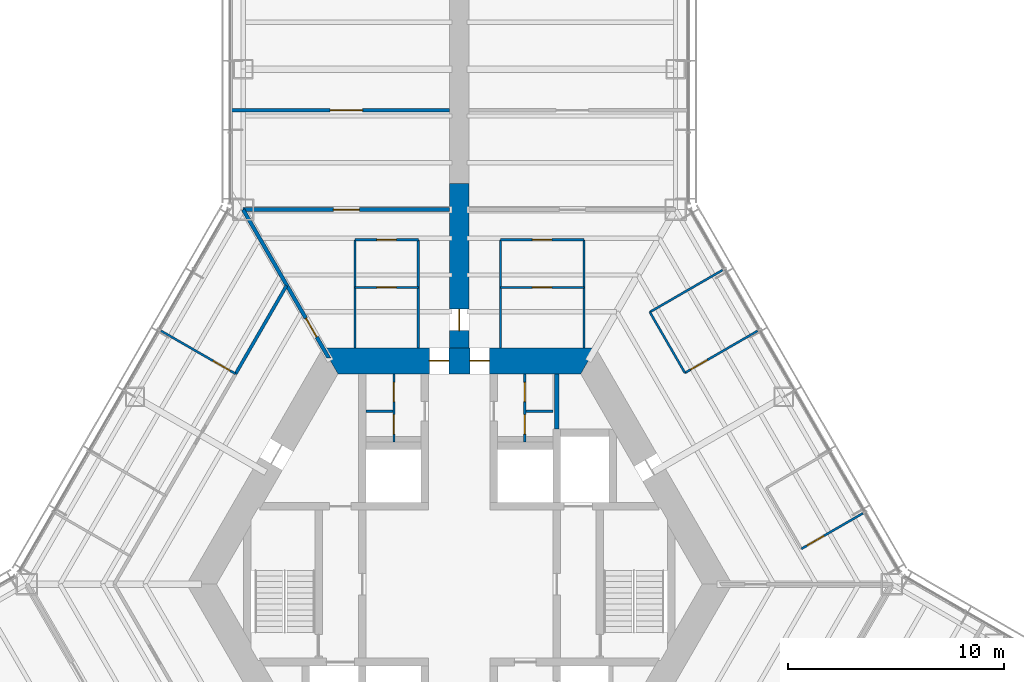
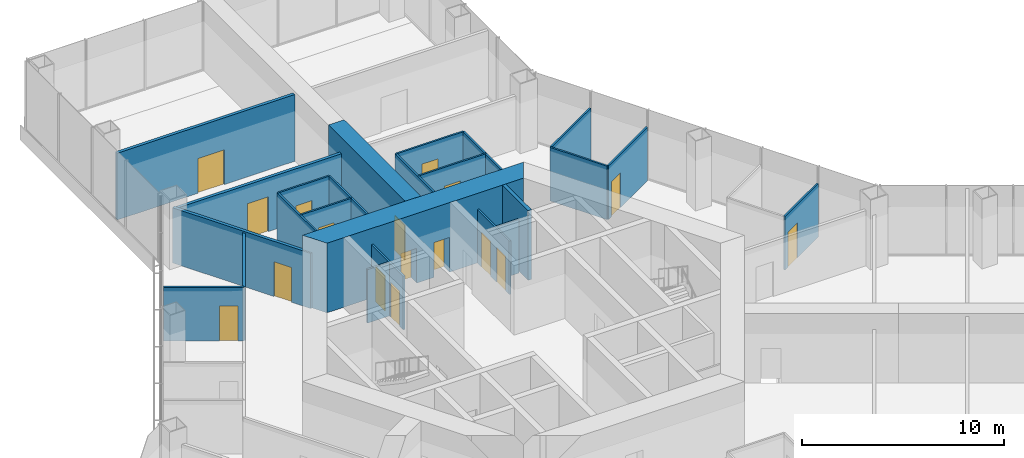
# One storey, part 13 of 17: 24 walls, 17 doors, 17 openings.
"""IFC4 building model written with IfcOpenShell, lengths in metres."""

from ifc_helpers import new_model, si_unit, direction, frame, frame_2d, origin, place, context, subcontext, project, spatial, polyline, rectangle, outline, extrude, material, layer, layer_set, type_object, element, fill, save


model = new_model("IFC4")

# Units and contexts
model_context = context("Model", 3, precision=1e-05, world=origin(), true_north=direction((0.0, 1.0)))
body_context = subcontext(model_context, "Body", "Model", "MODEL_VIEW")
ifc_project = project(units=[si_unit("LENGTHUNIT", "METRE"), si_unit("AREAUNIT", "SQUARE_METRE"), si_unit("VOLUMEUNIT", "CUBIC_METRE"), si_unit("PLANEANGLEUNIT", "RADIAN"), si_unit("MASSUNIT", "GRAM", prefix="KILO")], contexts=[model_context])

# Site, building, storey
site_placement = place(None, origin())
site = spatial("IfcSite", under=ifc_project, at=site_placement, CompositionType="ELEMENT")
building_placement = place(site_placement, origin())
building = spatial("IfcBuilding", under=site, at=building_placement, Name="Kasaneha Research Tower", CompositionType="ELEMENT")
storey_placement = place(building_placement, frame((0.0, 0.0, 43.60009765625)))
storey = spatial("IfcBuildingStorey", under=building, at=storey_placement, Name="L11", CompositionType="ELEMENT", Elevation=43.60009765625)

# Wall, openings, doors
ifc_material_1 = material(Name="Concrete Fc100", Category="concrete")
ifc_layer_1 = layer(ifc_material_1, 1.199951171875)
ifc_layer_set_1 = layer_set([ifc_layer_1], Name="Core wall 1200 Fc100")
wall_type_1 = type_object("IfcWallType", Name="Core wall 1200 Fc100", PredefinedType="SHEAR", material=ifc_layer_set_1)
wall_1_placement = place(storey_placement, frame((5.961181640625, 10.324951171875, 0.0), z_axis=(0.0, 0.0, 1.0), x_axis=(-1.0, 0.0, 0.0)))
wall_1 = element("IfcWall", 1, at=wall_1_placement, inside=storey, type_object=wall_type_1, Name="Core wall 090 L11", PredefinedType="SHEAR", context=body_context, shape_type="SweptSolid", body=[
    extrude(outline(polyline([(-0.346435546875, -0.60009765625), (4.57373046875, -0.60009765625), (5.4736328125, -0.60009765625), (6.44873046875, -0.60009765625), (7.3486328125, -0.60009765625), (12.268798828125, -0.60009765625), (11.575927734375, 0.60009765625), (7.3486328125, 0.60009765625), (6.44873046875, 0.60009765625), (5.4736328125, 0.60009765625), (4.57373046875, 0.60009765625), (0.346435546875, 0.60009765625), (-0.346435546875, -0.60009765625)])), origin(), (0.0, 0.0, 1.0), 4.199951171875),
])
opening_1_placement = place(wall_1_placement, frame((6.44873046875, 0.0, 0.0)))
opening_1 = element("IfcOpeningElement", 2, at=opening_1_placement, cuts=wall_1, Name="Opening L11-D01", PredefinedType="OPENING", context=body_context, shape_type="SweptSolid", body=[
    extrude(rectangle(XDim=0.89990234375, YDim=2.10009765625, at=frame_2d((0.449951171875, 1.050048828125))), frame((0.0, 0.60986328125, 0.0), z_axis=(0.0, -1.0, 0.0), x_axis=(1.0, 0.0, 0.0)), (0.0, 0.0, 1.0), 1.219970703125),
])
opening_2_placement = place(wall_1_placement, frame((4.57373046875, 0.0, 0.0)))
opening_2 = element("IfcOpeningElement", 3, at=opening_2_placement, cuts=wall_1, Name="Opening L11-D02", PredefinedType="OPENING", context=body_context, shape_type="SweptSolid", body=[
    extrude(rectangle(XDim=0.89990234375, YDim=2.10009765625, at=frame_2d((0.449951171875, 1.050048828125))), frame((0.0, 0.60986328125, 0.0), z_axis=(0.0, -1.0, 0.0), x_axis=(1.0, 0.0, 0.0)), (0.0, 0.0, 1.0), 1.219970703125),
])
ifc_material_2 = material(Name="Steel", Category="steel")
door_type_1 = type_object("IfcDoorType", Name="Toilet door FD20 900x2100", OperationType="NOTDEFINED", PredefinedType="DOOR", material=ifc_material_2)
door_1_placement = place(opening_1_placement, origin())
door_1 = element("IfcDoor", 4, at=door_1_placement, inside=storey, type_object=door_type_1, Name="Core door north 1 L11-D01", OperationType="SINGLE_SWING_RIGHT", OverallHeight=2.10009765625, OverallWidth=0.89990234375, PredefinedType="DOOR", context=body_context, shape_type="SweptSolid", body=[
    extrude(rectangle(XDim=0.89990234375, YDim=2.10009765625, at=frame_2d((0.449951171875, 1.050048828125))), frame((0.0, 0.02490234375, 0.0), z_axis=(0.0, -1.0, 0.0), x_axis=(1.0, 0.0, 0.0)), (0.0, 0.0, 1.0), 0.050048828125),
])
fill(opening_1, door_1)
door_2_placement = place(opening_2_placement, origin())
door_2 = element("IfcDoor", 5, at=door_2_placement, inside=storey, type_object=door_type_1, Name="Core door north 2 L11-D02", OperationType="SINGLE_SWING_LEFT", OverallHeight=2.10009765625, OverallWidth=0.89990234375, PredefinedType="DOOR", context=body_context, shape_type="SweptSolid", body=[
    extrude(rectangle(XDim=0.89990234375, YDim=2.10009765625, at=frame_2d((0.449951171875, 1.050048828125))), frame((0.0, 0.02490234375, 0.0), z_axis=(0.0, -1.0, 0.0), x_axis=(1.0, 0.0, 0.0)), (0.0, 0.0, 1.0), 0.050048828125),
])
fill(opening_2, door_2)

# Wall, opening, door
ifc_material_3 = material(Name="Gypsum board on steel studs, two layers each side", Category="steel")
ifc_layer_2 = layer(ifc_material_3, 0.175048828125)
ifc_layer_set_2 = layer_set([ifc_layer_2], Name="Laboratory fire partition 175")
wall_type_2 = type_object("IfcWallType", Name="Laboratory fire partition 175", PredefinedType="PARTITIONING", material=ifc_layer_set_2)
wall_2_placement = place(storey_placement, frame((-0.449951171875, 17.320556640625, 0.0), z_axis=(0.0, 0.0, 1.0), x_axis=(-1.0, 0.0, 0.0)))
wall_2 = element("IfcWall", 6, at=wall_2_placement, inside=storey, type_object=wall_type_2, Name="Laboratory fire partition LABA-W L11", PredefinedType="PARTITIONING", context=body_context, shape_type="SweptSolid", body=[
    extrude(rectangle(XDim=9.550048828125, YDim=0.175048828125, at=frame_2d((4.77490234375, 0.0))), origin(), (0.0, 0.0, 1.0), 3.23779296875),
])
opening_3_placement = place(wall_2_placement, frame((4.175048828125, 0.0, 0.0)))
opening_3 = element("IfcOpeningElement", 7, at=opening_3_placement, cuts=wall_2, Name="Opening L11-D36", PredefinedType="OPENING", context=body_context, shape_type="SweptSolid", body=[
    extrude(rectangle(XDim=1.199951171875, YDim=2.10009765625, at=frame_2d((0.60009765625, 1.050048828125))), frame((0.0, 0.09765625, 0.0), z_axis=(0.0, -1.0, 0.0), x_axis=(1.0, 0.0, 0.0)), (0.0, 0.0, 1.0), 0.195068359375),
])
ifc_material_4 = material(Name="Steel", Category="steel")
door_type_2 = type_object("IfcDoorType", Name="Laboratory door FD60 1200x2100", OperationType="DOUBLE_DOOR_SINGLE_SWING", PredefinedType="DOOR", material=ifc_material_4)
door_3_placement = place(opening_3_placement, origin())
door_3 = element("IfcDoor", 8, at=door_3_placement, inside=storey, type_object=door_type_2, Name="Laboratory door L11-D36", OperationType="DOUBLE_DOOR_SINGLE_SWING", OverallHeight=2.10009765625, OverallWidth=1.199951171875, PredefinedType="DOOR", context=body_context, shape_type="SweptSolid", body=[
    extrude(rectangle(XDim=1.199951171875, YDim=2.10009765625, at=frame_2d((0.60009765625, 1.050048828125))), frame((0.0, 0.02490234375, 0.0), z_axis=(0.0, -1.0, 0.0), x_axis=(1.0, 0.0, 0.0)), (0.0, 0.0, 1.0), 0.050048828125),
])
fill(opening_3, door_3)

wall_3_placement = place(storey_placement, frame((-0.449951171875, 21.92041015625, 0.0), z_axis=(0.0, 0.0, 1.0), x_axis=(-1.0, 0.0, 0.0)))
wall_3 = element("IfcWall", 9, at=wall_3_placement, inside=storey, type_object=wall_type_2, Name="Laboratory fire partition INSA-W L11", PredefinedType="PARTITIONING", context=body_context, shape_type="SweptSolid", body=[
    extrude(rectangle(XDim=10.14013671875, YDim=0.175048828125, at=frame_2d((5.070068359375, 0.0))), origin(), (0.0, 0.0, 1.0), 4.02978515625),
])
opening_4_placement = place(wall_3_placement, frame((4.02490234375, 0.0, 0.0)))
opening_4 = element("IfcOpeningElement", 10, at=opening_4_placement, cuts=wall_3, Name="Opening L11-D37", PredefinedType="OPENING", context=body_context, shape_type="SweptSolid", body=[
    extrude(rectangle(XDim=1.5, YDim=2.10009765625, at=frame_2d((0.75, 1.050048828125))), frame((0.0, 0.09765625, 0.0), z_axis=(0.0, -1.0, 0.0), x_axis=(1.0, 0.0, 0.0)), (0.0, 0.0, 1.0), 0.195068359375),
])
ifc_material_5 = material(Name="Steel", Category="steel")
door_type_3 = type_object("IfcDoorType", Name="Laboratory door FD60 1500x2100", OperationType="DOUBLE_DOOR_SINGLE_SWING", PredefinedType="DOOR", material=ifc_material_5)
door_4_placement = place(opening_4_placement, origin())
door_4 = element("IfcDoor", 11, at=door_4_placement, inside=storey, type_object=door_type_3, Name="Instrument room door L11-D37", OperationType="DOUBLE_DOOR_SINGLE_SWING", OverallHeight=2.10009765625, OverallWidth=1.5, PredefinedType="DOOR", context=body_context, shape_type="SweptSolid", body=[
    extrude(rectangle(XDim=1.5, YDim=2.10009765625, at=frame_2d((0.75, 1.050048828125))), frame((0.0, 0.02490234375, 0.0), z_axis=(0.0, -1.0, 0.0), x_axis=(1.0, 0.0, 0.0)), (0.0, 0.0, 1.0), 0.050048828125),
])
fill(opening_4, door_4)

# Wall, openings, doors
ifc_material_6 = material(Name="Gypsum board on steel studs, one layer each side", Category="steel")
ifc_layer_3 = layer(ifc_material_6, 0.10009765625)
ifc_layer_set_3 = layer_set([ifc_layer_3], Name="Office partition 100")
wall_type_3 = type_object("IfcWallType", Name="Office partition 100", PredefinedType="PARTITIONING", material=ifc_layer_set_3)
wall_4_placement = place(storey_placement, frame((-3.02490234375, 6.574951171875, 0.0), z_axis=(0.0, 0.0, 1.0), x_axis=(0.0, 1.0, 0.0)))
wall_4 = element("IfcWall", 12, at=wall_4_placement, inside=storey, type_object=wall_type_3, Name="Office partition TBM1 L11", PredefinedType="PARTITIONING", context=body_context, shape_type="SweptSolid", body=[
    extrude(rectangle(XDim=3.150146484375, YDim=0.10009765625, at=frame_2d((1.5751953125, 0.0))), origin(), (0.0, 0.0, 1.0), 3.22998046875),
])
opening_5_placement = place(wall_4_placement, frame((1.862548828125, 0.0, 0.0)))
opening_5 = element("IfcOpeningElement", 13, at=opening_5_placement, cuts=wall_4, Name="Opening L11-D20", PredefinedType="OPENING", context=body_context, shape_type="SweptSolid", body=[
    extrude(rectangle(XDim=0.89990234375, YDim=2.10009765625, at=frame_2d((0.449951171875, 1.050048828125))), frame((0.0, 0.06005859375, 0.0), z_axis=(0.0, -1.0, 0.0), x_axis=(1.0, 0.0, 0.0)), (0.0, 0.0, 1.0), 0.1201171875),
])
opening_6_placement = place(wall_4_placement, frame((0.362548828125, 0.0, 0.0)))
opening_6 = element("IfcOpeningElement", 14, at=opening_6_placement, cuts=wall_4, Name="Opening L11-D21", PredefinedType="OPENING", context=body_context, shape_type="SweptSolid", body=[
    extrude(rectangle(XDim=0.89990234375, YDim=2.10009765625, at=frame_2d((0.449951171875, 1.050048828125))), frame((0.0, 0.06005859375, 0.0), z_axis=(0.0, -1.0, 0.0), x_axis=(1.0, 0.0, 0.0)), (0.0, 0.0, 1.0), 0.1201171875),
])
ifc_material_7 = material(Name="Steel", Category="steel")
door_type_4 = type_object("IfcDoorType", Name="Toilet lobby door FD30 900x2100", OperationType="NOTDEFINED", PredefinedType="DOOR", material=ifc_material_7)
door_5_placement = place(opening_5_placement, origin())
door_5 = element("IfcDoor", 15, at=door_5_placement, inside=storey, type_object=door_type_4, Name="Men's WC door L11-D20", OperationType="SINGLE_SWING_RIGHT", OverallHeight=2.10009765625, OverallWidth=0.89990234375, PredefinedType="DOOR", context=body_context, shape_type="SweptSolid", body=[
    extrude(rectangle(XDim=0.89990234375, YDim=2.10009765625, at=frame_2d((0.449951171875, 1.050048828125))), frame((0.0, 0.02490234375, 0.0), z_axis=(0.0, -1.0, 0.0), x_axis=(1.0, 0.0, 0.0)), (0.0, 0.0, 1.0), 0.050048828125),
])
fill(opening_5, door_5)
door_6_placement = place(opening_6_placement, origin())
door_6 = element("IfcDoor", 16, at=door_6_placement, inside=storey, type_object=door_type_4, Name="Staff WC door L11-D21", OperationType="SINGLE_SWING_RIGHT", OverallHeight=2.10009765625, OverallWidth=0.89990234375, PredefinedType="DOOR", context=body_context, shape_type="SweptSolid", body=[
    extrude(rectangle(XDim=0.89990234375, YDim=2.10009765625, at=frame_2d((0.449951171875, 1.050048828125))), frame((0.0, 0.02490234375, 0.0), z_axis=(0.0, -1.0, 0.0), x_axis=(1.0, 0.0, 0.0)), (0.0, 0.0, 1.0), 0.050048828125),
])
fill(opening_6, door_6)

# Wall
wall_5_placement = place(storey_placement, frame((-3.074951171875, 8.0, 0.0), z_axis=(0.0, 0.0, 1.0), x_axis=(-1.0, 0.0, 0.0)))
element("IfcWall", 17, at=wall_5_placement, inside=storey, type_object=wall_type_3, Name="Office partition TBM2 L11", PredefinedType="PARTITIONING", context=body_context, shape_type="SweptSolid", body=[
    extrude(rectangle(XDim=1.25, YDim=0.10009765625, at=frame_2d((0.625, 0.0))), origin(), (0.0, 0.0, 1.0), 3.22998046875),
])

# Wall, openings, doors
wall_6_placement = place(storey_placement, frame((3.02490234375, 6.574951171875, 0.0), z_axis=(0.0, 0.0, 1.0), x_axis=(0.0, 1.0, 0.0)))
wall_6 = element("IfcWall", 18, at=wall_6_placement, inside=storey, type_object=wall_type_3, Name="Office partition TBF1 L11", PredefinedType="PARTITIONING", context=body_context, shape_type="SweptSolid", body=[
    extrude(rectangle(XDim=3.150146484375, YDim=0.10009765625, at=frame_2d((1.5751953125, 0.0))), origin(), (0.0, 0.0, 1.0), 3.22998046875),
])
opening_7_placement = place(wall_6_placement, frame((1.862548828125, 0.0, 0.0)))
opening_7 = element("IfcOpeningElement", 19, at=opening_7_placement, cuts=wall_6, Name="Opening L11-D22", PredefinedType="OPENING", context=body_context, shape_type="SweptSolid", body=[
    extrude(rectangle(XDim=0.89990234375, YDim=2.10009765625, at=frame_2d((0.449951171875, 1.050048828125))), frame((0.0, 0.06005859375, 0.0), z_axis=(0.0, -1.0, 0.0), x_axis=(1.0, 0.0, 0.0)), (0.0, 0.0, 1.0), 0.1201171875),
])
opening_8_placement = place(wall_6_placement, frame((0.362548828125, 0.0, 0.0)))
opening_8 = element("IfcOpeningElement", 20, at=opening_8_placement, cuts=wall_6, Name="Opening L11-D23", PredefinedType="OPENING", context=body_context, shape_type="SweptSolid", body=[
    extrude(rectangle(XDim=0.89990234375, YDim=2.10009765625, at=frame_2d((0.449951171875, 1.050048828125))), frame((0.0, 0.06005859375, 0.0), z_axis=(0.0, -1.0, 0.0), x_axis=(1.0, 0.0, 0.0)), (0.0, 0.0, 1.0), 0.1201171875),
])
door_7_placement = place(opening_7_placement, origin())
door_7 = element("IfcDoor", 21, at=door_7_placement, inside=storey, type_object=door_type_4, Name="Women's WC door L11-D22", OperationType="SINGLE_SWING_RIGHT", OverallHeight=2.10009765625, OverallWidth=0.89990234375, PredefinedType="DOOR", context=body_context, shape_type="SweptSolid", body=[
    extrude(rectangle(XDim=0.89990234375, YDim=2.10009765625, at=frame_2d((0.449951171875, 1.050048828125))), frame((0.0, 0.02490234375, 0.0), z_axis=(0.0, -1.0, 0.0), x_axis=(1.0, 0.0, 0.0)), (0.0, 0.0, 1.0), 0.050048828125),
])
fill(opening_7, door_7)
door_8_placement = place(opening_8_placement, origin())
door_8 = element("IfcDoor", 22, at=door_8_placement, inside=storey, type_object=door_type_4, Name="Cleaner's store door L11-D23", OperationType="SINGLE_SWING_RIGHT", OverallHeight=2.10009765625, OverallWidth=0.89990234375, PredefinedType="DOOR", context=body_context, shape_type="SweptSolid", body=[
    extrude(rectangle(XDim=0.89990234375, YDim=2.10009765625, at=frame_2d((0.449951171875, 1.050048828125))), frame((0.0, 0.02490234375, 0.0), z_axis=(0.0, -1.0, 0.0), x_axis=(1.0, 0.0, 0.0)), (0.0, 0.0, 1.0), 0.050048828125),
])
fill(opening_8, door_8)

# Wall
wall_7_placement = place(storey_placement, frame((3.074951171875, 8.0, 0.0), z_axis=(0.0, 0.0, 1.0), x_axis=(1.0, 0.0, 0.0)))
element("IfcWall", 23, at=wall_7_placement, inside=storey, type_object=wall_type_3, Name="Office partition TBF2 L11", PredefinedType="PARTITIONING", context=body_context, shape_type="SweptSolid", body=[
    extrude(rectangle(XDim=1.25, YDim=0.10009765625, at=frame_2d((0.625, 0.0))), origin(), (0.0, 0.0, 1.0), 3.22998046875),
])

# Wall, opening, door
wall_8_placement = place(storey_placement, frame((1.89990234375, 13.72509765625, 0.0), z_axis=(0.0, 0.0, 1.0), x_axis=(1.0, 0.0, 0.0)))
wall_8 = element("IfcWall", 24, at=wall_8_placement, inside=storey, type_object=wall_type_3, Name="Office partition WCAE1 L11", PredefinedType="PARTITIONING", context=body_context, shape_type="SweptSolid", body=[
    extrude(rectangle(XDim=3.857177734375, YDim=0.10009765625, at=frame_2d((1.9287109375, 0.0))), origin(), (0.0, 0.0, 1.0), 3.22998046875),
])
opening_9_placement = place(wall_8_placement, frame((1.478515625, 0.0, 0.0)))
opening_9 = element("IfcOpeningElement", 25, at=opening_9_placement, cuts=wall_8, Name="Opening L11-D28", PredefinedType="OPENING", context=body_context, shape_type="SweptSolid", body=[
    extrude(rectangle(XDim=0.89990234375, YDim=2.10009765625, at=frame_2d((0.449951171875, 1.050048828125))), frame((0.0, 0.06005859375, 0.0), z_axis=(0.0, -1.0, 0.0), x_axis=(1.0, 0.0, 0.0)), (0.0, 0.0, 1.0), 0.1201171875),
])
door_9_placement = place(opening_9_placement, origin())
door_9 = element("IfcDoor", 26, at=door_9_placement, inside=storey, type_object=door_type_4, Name="Women's WC door L11-D28", OperationType="SINGLE_SWING_RIGHT", OverallHeight=2.10009765625, OverallWidth=0.89990234375, PredefinedType="DOOR", context=body_context, shape_type="SweptSolid", body=[
    extrude(rectangle(XDim=0.89990234375, YDim=2.10009765625, at=frame_2d((0.449951171875, 1.050048828125))), frame((0.0, 0.02490234375, 0.0), z_axis=(0.0, -1.0, 0.0), x_axis=(1.0, 0.0, 0.0)), (0.0, 0.0, 1.0), 0.050048828125),
])
fill(opening_9, door_9)

wall_9_placement = place(storey_placement, frame((1.89990234375, 15.925048828125, 0.0), z_axis=(0.0, 0.0, 1.0), x_axis=(1.0, 0.0, 0.0)))
wall_9 = element("IfcWall", 27, at=wall_9_placement, inside=storey, type_object=wall_type_3, Name="Office partition WCAE4 L11", PredefinedType="PARTITIONING", context=body_context, shape_type="SweptSolid", body=[
    extrude(rectangle(XDim=3.857177734375, YDim=0.10009765625, at=frame_2d((1.9287109375, 0.0))), origin(), (0.0, 0.0, 1.0), 3.22998046875),
])
opening_10_placement = place(wall_9_placement, frame((1.478515625, 0.0, 0.0)))
opening_10 = element("IfcOpeningElement", 28, at=opening_10_placement, cuts=wall_9, Name="Opening L11-D29", PredefinedType="OPENING", context=body_context, shape_type="SweptSolid", body=[
    extrude(rectangle(XDim=0.89990234375, YDim=2.10009765625, at=frame_2d((0.449951171875, 1.050048828125))), frame((0.0, 0.06005859375, 0.0), z_axis=(0.0, -1.0, 0.0), x_axis=(1.0, 0.0, 0.0)), (0.0, 0.0, 1.0), 0.1201171875),
])
door_10_placement = place(opening_10_placement, origin())
door_10 = element("IfcDoor", 29, at=door_10_placement, inside=storey, type_object=door_type_4, Name="Toilet lobby door L11-D29", OperationType="SINGLE_SWING_RIGHT", OverallHeight=2.10009765625, OverallWidth=0.89990234375, PredefinedType="DOOR", context=body_context, shape_type="SweptSolid", body=[
    extrude(rectangle(XDim=0.89990234375, YDim=2.10009765625, at=frame_2d((0.449951171875, 1.050048828125))), frame((0.0, 0.02490234375, 0.0), z_axis=(0.0, -1.0, 0.0), x_axis=(1.0, 0.0, 0.0)), (0.0, 0.0, 1.0), 0.050048828125),
])
fill(opening_10, door_10)

# Walls
for number, where, z_axis, x_axis, name in (
    (30, (1.89990234375, 10.925048828125, 0.0), (0.0, 0.0, 1.0), (0.0, 1.0, 0.0), "Office partition WCAE2 L11"),
    (31, (5.757080078125, 10.925048828125, 0.0), (0.0, 0.0, 1.0), (0.0, 1.0, 0.0), "Office partition WCAE3 L11"),
):
    element("IfcWall", number, at=place(storey_placement, frame(where, z_axis=z_axis, x_axis=x_axis)), inside=storey, type_object=wall_type_3, Name=name, PredefinedType="PARTITIONING", context=body_context, shape_type="SweptSolid", body=[
        extrude(rectangle(XDim=5.0, YDim=0.10009765625, at=frame_2d((2.5, 0.0))), origin(), (0.0, 0.0, 1.0), 3.22998046875),
    ])
wall_10_placement = place(storey_placement, frame((8.80908203125, 12.583251953125, 0.0), z_axis=(0.0, 0.0, 1.0), x_axis=(0.866027358884, 0.499996613652, 0.0)))
element("IfcWall", 32, at=wall_10_placement, inside=storey, type_object=wall_type_3, Name="Office partition FAE01 L11", PredefinedType="PARTITIONING", context=body_context, shape_type="SweptSolid", body=[
    extrude(rectangle(XDim=3.8798828125, YDim=0.10009765625, at=frame_2d((1.93994140625, 0.0))), origin(), (0.0, 0.0, 1.0), 3.22998046875),
])
wall_11_placement = place(storey_placement, frame((10.432373046875, 9.771728515625, 0.0), z_axis=(0.0, 0.0, 1.0), x_axis=(-0.500013214685, 0.866017774148, 0.0)))
element("IfcWall", 33, at=wall_11_placement, inside=storey, type_object=wall_type_3, Name="Office partition FAE02 L11", PredefinedType="PARTITIONING", context=body_context, shape_type="SweptSolid", body=[
    extrude(rectangle(XDim=3.24658203125, YDim=0.10009765625, at=frame_2d((1.623291015625, 0.0))), origin(), (0.0, 0.0, 1.0), 3.22998046875),
])

# Wall, opening, door
wall_12_placement = place(storey_placement, frame((13.79248046875, 11.711669921875, 0.0), z_axis=(0.0, 0.0, 1.0), x_axis=(-0.866027358884, -0.499996613652, 0.0)))
wall_12 = element("IfcWall", 34, at=wall_12_placement, inside=storey, type_object=wall_type_3, Name="Office partition FAE03 L11", PredefinedType="PARTITIONING", context=body_context, shape_type="SweptSolid", body=[
    extrude(rectangle(XDim=3.8798828125, YDim=0.10009765625, at=frame_2d((1.93994140625, 0.0))), origin(), (0.0, 0.0, 1.0), 3.22998046875),
])
opening_11_placement = place(wall_12_placement, frame((2.679931640625, 0.0, 0.0)))
opening_11 = element("IfcOpeningElement", 35, at=opening_11_placement, cuts=wall_12, Name="Opening L11-D31", PredefinedType="OPENING", context=body_context, shape_type="SweptSolid", body=[
    extrude(rectangle(XDim=0.89990234375, YDim=2.10009765625, at=frame_2d((0.449951171875, 1.050048828125))), frame((0.0, 0.06005859375, 0.0), z_axis=(0.0, -1.0, 0.0), x_axis=(1.0, 0.0, 0.0)), (0.0, 0.0, 1.0), 0.1201171875),
])
ifc_material_8 = material(Name="Timber veneer", Category="wood")
door_type_5 = type_object("IfcDoorType", Name="Office door 900x2100", OperationType="SINGLE_SWING_LEFT", PredefinedType="DOOR", material=ifc_material_8)
door_11_placement = place(opening_11_placement, origin())
door_11 = element("IfcDoor", 36, at=door_11_placement, inside=storey, type_object=door_type_5, Name="Microscopy room door L11-D31", OperationType="SINGLE_SWING_RIGHT", OverallHeight=2.10009765625, OverallWidth=0.89990234375, PredefinedType="DOOR", context=body_context, shape_type="SweptSolid", body=[
    extrude(rectangle(XDim=0.89990234375, YDim=2.10009765625, at=frame_2d((0.449951171875, 1.050048828125))), frame((0.0, 0.02490234375, 0.0), z_axis=(0.0, -1.0, 0.0), x_axis=(1.0, 0.0, 0.0)), (0.0, 0.0, 1.0), 0.050048828125),
])
fill(opening_11, door_11)

wall_13_placement = place(storey_placement, frame((18.662109375, 3.27734375, 0.0), z_axis=(0.0, 0.0, 1.0), x_axis=(-0.866008333849, -0.50002956483, 0.0)))
wall_13 = element("IfcWall", 37, at=wall_13_placement, inside=storey, type_object=wall_type_3, Name="Office partition FAE06 L11", PredefinedType="PARTITIONING", context=body_context, shape_type="SweptSolid", body=[
    extrude(rectangle(XDim=3.280029296875, YDim=0.10009765625, at=frame_2d((1.64013671875, 0.0))), origin(), (0.0, 0.0, 1.0), 3.22998046875),
])
opening_12_placement = place(wall_13_placement, frame((2.080078125, 0.0, 0.0)))
opening_12 = element("IfcOpeningElement", 38, at=opening_12_placement, cuts=wall_13, Name="Opening L11-D32", PredefinedType="OPENING", context=body_context, shape_type="SweptSolid", body=[
    extrude(rectangle(XDim=0.89990234375, YDim=2.10009765625, at=frame_2d((0.449951171875, 1.050048828125))), frame((0.0, 0.06005859375, 0.0), z_axis=(0.0, -1.0, 0.0), x_axis=(1.0, 0.0, 0.0)), (0.0, 0.0, 1.0), 0.1201171875),
])
door_12_placement = place(opening_12_placement, origin())
door_12 = element("IfcDoor", 39, at=door_12_placement, inside=storey, type_object=door_type_5, Name="Principal investigator office door L11-D32", OperationType="SINGLE_SWING_RIGHT", OverallHeight=2.10009765625, OverallWidth=0.89990234375, PredefinedType="DOOR", context=body_context, shape_type="SweptSolid", body=[
    extrude(rectangle(XDim=0.89990234375, YDim=2.10009765625, at=frame_2d((0.449951171875, 1.050048828125))), frame((0.0, 0.02490234375, 0.0), z_axis=(0.0, -1.0, 0.0), x_axis=(1.0, 0.0, 0.0)), (0.0, 0.0, 1.0), 0.050048828125),
])
fill(opening_12, door_12)

wall_14_placement = place(storey_placement, frame((-4.82861328125, 13.72509765625, 0.0), z_axis=(0.0, 0.0, 1.0), x_axis=(1.0, 0.0, 0.0)))
wall_14 = element("IfcWall", 40, at=wall_14_placement, inside=storey, type_object=wall_type_3, Name="Office partition WCAW1 L11", PredefinedType="PARTITIONING", context=body_context, shape_type="SweptSolid", body=[
    extrude(rectangle(XDim=2.9287109375, YDim=0.10009765625, at=frame_2d((1.46435546875, 0.0))), origin(), (0.0, 0.0, 1.0), 3.22998046875),
])
opening_13_placement = place(wall_14_placement, frame((1.01416015625, 0.0, 0.0)))
opening_13 = element("IfcOpeningElement", 41, at=opening_13_placement, cuts=wall_14, Name="Opening L11-D34", PredefinedType="OPENING", context=body_context, shape_type="SweptSolid", body=[
    extrude(rectangle(XDim=0.89990234375, YDim=2.10009765625, at=frame_2d((0.449951171875, 1.050048828125))), frame((0.0, 0.06005859375, 0.0), z_axis=(0.0, -1.0, 0.0), x_axis=(1.0, 0.0, 0.0)), (0.0, 0.0, 1.0), 0.1201171875),
])
door_13_placement = place(opening_13_placement, origin())
door_13 = element("IfcDoor", 42, at=door_13_placement, inside=storey, type_object=door_type_4, Name="Men's WC door L11-D34", OperationType="SINGLE_SWING_LEFT", OverallHeight=2.10009765625, OverallWidth=0.89990234375, PredefinedType="DOOR", context=body_context, shape_type="SweptSolid", body=[
    extrude(rectangle(XDim=0.89990234375, YDim=2.10009765625, at=frame_2d((0.449951171875, 1.050048828125))), frame((0.0, 0.02490234375, 0.0), z_axis=(0.0, -1.0, 0.0), x_axis=(1.0, 0.0, 0.0)), (0.0, 0.0, 1.0), 0.050048828125),
])
fill(opening_13, door_13)

wall_15_placement = place(storey_placement, frame((-4.82861328125, 15.925048828125, 0.0), z_axis=(0.0, 0.0, 1.0), x_axis=(1.0, 0.0, 0.0)))
wall_15 = element("IfcWall", 43, at=wall_15_placement, inside=storey, type_object=wall_type_3, Name="Office partition WCAW4 L11", PredefinedType="PARTITIONING", context=body_context, shape_type="SweptSolid", body=[
    extrude(rectangle(XDim=2.9287109375, YDim=0.10009765625, at=frame_2d((1.46435546875, 0.0))), origin(), (0.0, 0.0, 1.0), 3.22998046875),
])
opening_14_placement = place(wall_15_placement, frame((1.01416015625, 0.0, 0.0)))
opening_14 = element("IfcOpeningElement", 44, at=opening_14_placement, cuts=wall_15, Name="Opening L11-D35", PredefinedType="OPENING", context=body_context, shape_type="SweptSolid", body=[
    extrude(rectangle(XDim=0.89990234375, YDim=2.10009765625, at=frame_2d((0.449951171875, 1.050048828125))), frame((0.0, 0.06005859375, 0.0), z_axis=(0.0, -1.0, 0.0), x_axis=(1.0, 0.0, 0.0)), (0.0, 0.0, 1.0), 0.1201171875),
])
door_14_placement = place(opening_14_placement, origin())
door_14 = element("IfcDoor", 45, at=door_14_placement, inside=storey, type_object=door_type_4, Name="Toilet lobby door L11-D35", OperationType="SINGLE_SWING_LEFT", OverallHeight=2.10009765625, OverallWidth=0.89990234375, PredefinedType="DOOR", context=body_context, shape_type="SweptSolid", body=[
    extrude(rectangle(XDim=0.89990234375, YDim=2.10009765625, at=frame_2d((0.449951171875, 1.050048828125))), frame((0.0, 0.02490234375, 0.0), z_axis=(0.0, -1.0, 0.0), x_axis=(1.0, 0.0, 0.0)), (0.0, 0.0, 1.0), 0.050048828125),
])
fill(opening_14, door_14)

# Walls
for number, where, z_axis, x_axis, name in (
    (46, (-1.89990234375, 10.925048828125, 0.0), (0.0, 0.0, 1.0), (0.0, 1.0, 0.0), "Office partition WCAW2 L11"),
    (47, (-4.82861328125, 10.925048828125, 0.0), (0.0, 0.0, 1.0), (0.0, 1.0, 0.0), "Office partition WCAW3 L11"),
):
    element("IfcWall", number, at=place(storey_placement, frame(where, z_axis=z_axis, x_axis=x_axis)), inside=storey, type_object=wall_type_3, Name=name, PredefinedType="PARTITIONING", context=body_context, shape_type="SweptSolid", body=[
        extrude(rectangle(XDim=5.0, YDim=0.10009765625, at=frame_2d((2.5, 0.0))), origin(), (0.0, 0.0, 1.0), 3.22998046875),
    ])

# Wall, opening, door
wall_16_placement = place(storey_placement, frame((-10.347412109375, 9.727783203125, 0.0), z_axis=(0.0, 0.0, 1.0), x_axis=(-0.866583023507, 0.499032928142, 0.0)))
wall_16 = element("IfcWall", 48, at=wall_16_placement, inside=storey, type_object=wall_type_3, Name="Office partition FBN06 L11", PredefinedType="PARTITIONING", context=body_context, shape_type="SweptSolid", body=[
    extrude(rectangle(XDim=3.975341796875, YDim=0.10009765625, at=frame_2d((1.98779296875, 0.0))), origin(), (0.0, 0.0, 1.0), 3.22998046875),
])
opening_15_placement = place(wall_16_placement, frame((0.300048828125, 0.0, 0.0)))
opening_15 = element("IfcOpeningElement", 49, at=opening_15_placement, cuts=wall_16, Name="Opening L11-D41", PredefinedType="OPENING", context=body_context, shape_type="SweptSolid", body=[
    extrude(rectangle(XDim=0.89990234375, YDim=2.10009765625, at=frame_2d((0.449951171875, 1.050048828125))), frame((0.0, 0.06005859375, 0.0), z_axis=(0.0, -1.0, 0.0), x_axis=(1.0, 0.0, 0.0)), (0.0, 0.0, 1.0), 0.1201171875),
])
door_15_placement = place(opening_15_placement, origin())
door_15 = element("IfcDoor", 50, at=door_15_placement, inside=storey, type_object=door_type_5, Name="Principal investigator office door L11-D41", OperationType="SINGLE_SWING_LEFT", OverallHeight=2.10009765625, OverallWidth=0.89990234375, PredefinedType="DOOR", context=body_context, shape_type="SweptSolid", body=[
    extrude(rectangle(XDim=0.89990234375, YDim=2.10009765625, at=frame_2d((0.449951171875, 1.050048828125))), frame((0.0, 0.02490234375, 0.0), z_axis=(0.0, -1.0, 0.0), x_axis=(1.0, 0.0, 0.0)), (0.0, 0.0, 1.0), 0.050048828125),
])
fill(opening_15, door_15)

# Wall
ifc_material_9 = material(Name="Concrete block", Category="concrete")
ifc_layer_4 = layer(ifc_material_9, 0.199951171875)
ifc_layer_set_4 = layer_set([ifc_layer_4], Name="Riser enclosure wall 200")
wall_type_4 = type_object("IfcWallType", Name="Riser enclosure wall 200", PredefinedType="STANDARD", material=ifc_layer_set_4)
wall_17_placement = place(storey_placement, frame((4.5, 7.175048828125, 0.0), z_axis=(0.0, 0.0, 1.0), x_axis=(0.0, 1.0, 0.0)))
element("IfcWall", 51, at=wall_17_placement, inside=storey, type_object=wall_type_4, Name="Riser enclosure wall L11", PredefinedType="STANDARD", context=body_context, shape_type="SweptSolid", body=[
    extrude(rectangle(XDim=2.550048828125, YDim=0.199951171875, at=frame_2d((1.27490234375, 0.0))), origin(), (0.0, 0.0, 1.0), 4.199951171875),
])

# Wall, opening, door
ifc_material_10 = material(Name="Concrete Fc100", Category="concrete")
ifc_layer_5 = layer(ifc_material_10, 0.89990234375)
ifc_layer_set_5 = layer_set([ifc_layer_5], Name="Spine wall 900 Fc100")
wall_type_5 = type_object("IfcWallType", Name="Spine wall 900 Fc100", PredefinedType="SHEAR", material=ifc_layer_set_5)
wall_18_placement = place(storey_placement, frame((0.0, 10.925048828125, 0.0), z_axis=(0.0, 0.0, 1.0), x_axis=(0.0, 1.0, 0.0)))
wall_18 = element("IfcWall", 52, at=wall_18_placement, inside=storey, type_object=wall_type_5, Name="Spine wall A L11", PredefinedType="SHEAR", context=body_context, shape_type="SweptSolid", body=[
    extrude(rectangle(XDim=7.595458984375, YDim=0.89990234375, at=frame_2d((3.7978515625, 0.0))), origin(), (0.0, 0.0, 1.0), 4.199951171875),
])
opening_16_placement = place(wall_18_placement, frame((0.800048828125, 0.0, 0.0)))
opening_16 = element("IfcOpeningElement", 53, at=opening_16_placement, cuts=wall_18, Name="Opening L11-D17", PredefinedType="OPENING", context=body_context, shape_type="SweptSolid", body=[
    extrude(rectangle(XDim=1.0, YDim=2.10009765625, at=frame_2d((0.5, 1.050048828125))), frame((0.0, 0.4599609375, 0.0), z_axis=(0.0, -1.0, 0.0), x_axis=(1.0, 0.0, 0.0)), (0.0, 0.0, 1.0), 0.919921875),
])
ifc_material_11 = material(Name="Steel", Category="steel")
door_type_6 = type_object("IfcDoorType", Name="Specified fire door FD60 1000x2100", OperationType="NOTDEFINED", PredefinedType="DOOR", material=ifc_material_11)
door_16_placement = place(opening_16_placement, origin())
door_16 = element("IfcDoor", 54, at=door_16_placement, inside=storey, type_object=door_type_6, Name="Spine doorway A L11-D17", OperationType="SINGLE_SWING_LEFT", OverallHeight=2.10009765625, OverallWidth=1.0, PredefinedType="DOOR", context=body_context, shape_type="SweptSolid", body=[
    extrude(rectangle(XDim=1.0, YDim=2.10009765625, at=frame_2d((0.5, 1.050048828125))), frame((0.0, 0.02490234375, 0.0), z_axis=(0.0, -1.0, 0.0), x_axis=(1.0, 0.0, 0.0)), (0.0, 0.0, 1.0), 0.050048828125),
])
fill(opening_16, door_16)

# Wall
ifc_material_12 = material(Name="Gypsum board on steel studs, two layers each side", Category="steel")
ifc_layer_6 = layer(ifc_material_12, 0.14990234375)
ifc_layer_set_6 = layer_set([ifc_layer_6], Name="Suite partition 150")
wall_type_6 = type_object("IfcWallType", Name="Suite partition 150", PredefinedType="PARTITIONING", material=ifc_layer_set_6)
wall_19_placement = place(storey_placement, frame((-10.35205078125, 9.719482421875, 0.0), z_axis=(0.0, 0.0, 1.0), x_axis=(0.499985273446, 0.866033905998, 0.0)))
element("IfcWall", 55, at=wall_19_placement, inside=storey, type_object=wall_type_6, Name="Suite partition FBN01 L11", PredefinedType="PARTITIONING", context=body_context, shape_type="SweptSolid", body=[
    extrude(rectangle(XDim=4.717529296875, YDim=0.14990234375, at=frame_2d((2.35888671875, 0.0))), origin(), (0.0, 0.0, 1.0), 3.22998046875),
])

# Wall, opening, door
ifc_material_13 = material(Name="Gypsum board on steel studs, two layers each side", Category="steel")
ifc_layer_7 = layer(ifc_material_13, 0.175048828125)
ifc_layer_set_7 = layer_set([ifc_layer_7], Name="Tenancy fire partition 175")
wall_type_7 = type_object("IfcWallType", Name="Tenancy fire partition 175", PredefinedType="PARTITIONING", material=ifc_layer_set_7)
wall_20_placement = place(storey_placement, frame((-6.03515625, 10.453125, 0.0), z_axis=(0.0, 0.0, 1.0), x_axis=(-0.499993402427, 0.866029212861, 0.0)))
wall_20 = element("IfcWall", 56, at=wall_20_placement, inside=storey, type_object=wall_type_7, Name="Tenancy fire partition T120 L11", PredefinedType="PARTITIONING", context=body_context, shape_type="SweptSolid", body=[
    extrude(outline(polyline([(-0.050537109375, -0.08740234375), (1.12939453125, -0.08740234375), (2.12939453125, -0.08740234375), (7.9296875, -0.08740234375), (7.9296875, 0.08740234375), (2.12939453125, 0.08740234375), (1.12939453125, 0.08740234375), (0.050537109375, 0.08740234375), (-0.050537109375, -0.08740234375)])), origin(), (0.0, 0.0, 1.0), 3.329833984375),
])
opening_17_placement = place(wall_20_placement, frame((1.12939453125, 0.0, 0.0)))
opening_17 = element("IfcOpeningElement", 57, at=opening_17_placement, cuts=wall_20, Name="Opening L11-D26", PredefinedType="OPENING", context=body_context, shape_type="SweptSolid", body=[
    extrude(rectangle(XDim=1.0, YDim=2.10009765625, at=frame_2d((0.5, 1.050048828125))), frame((0.0, 0.09765625, 0.0), z_axis=(0.0, -1.0, 0.0), x_axis=(1.0, 0.0, 0.0)), (0.0, 0.0, 1.0), 0.195068359375),
])
ifc_material_14 = material(Name="Steel", Category="steel")
door_type_7 = type_object("IfcDoorType", Name="Suite entrance door FD60 1000x2100", OperationType="NOTDEFINED", PredefinedType="DOOR", material=ifc_material_14)
door_17_placement = place(opening_17_placement, origin())
door_17 = element("IfcDoor", 58, at=door_17_placement, inside=storey, type_object=door_type_7, Name="Connecting door L11-D26", OperationType="SINGLE_SWING_LEFT", OverallHeight=2.10009765625, OverallWidth=1.0, PredefinedType="DOOR", context=body_context, shape_type="SweptSolid", body=[
    extrude(rectangle(XDim=1.0, YDim=2.10009765625, at=frame_2d((0.5, 1.050048828125))), frame((0.0, 0.02490234375, 0.0), z_axis=(0.0, -1.0, 0.0), x_axis=(1.0, 0.0, 0.0)), (0.0, 0.0, 1.0), 0.050048828125),
])
fill(opening_17, door_17)

save(model, "model.ifc")
